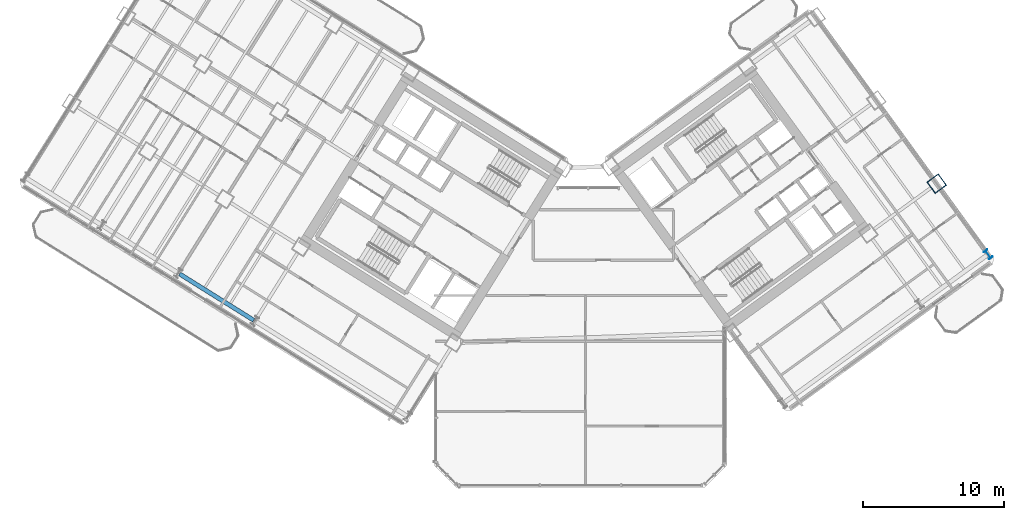
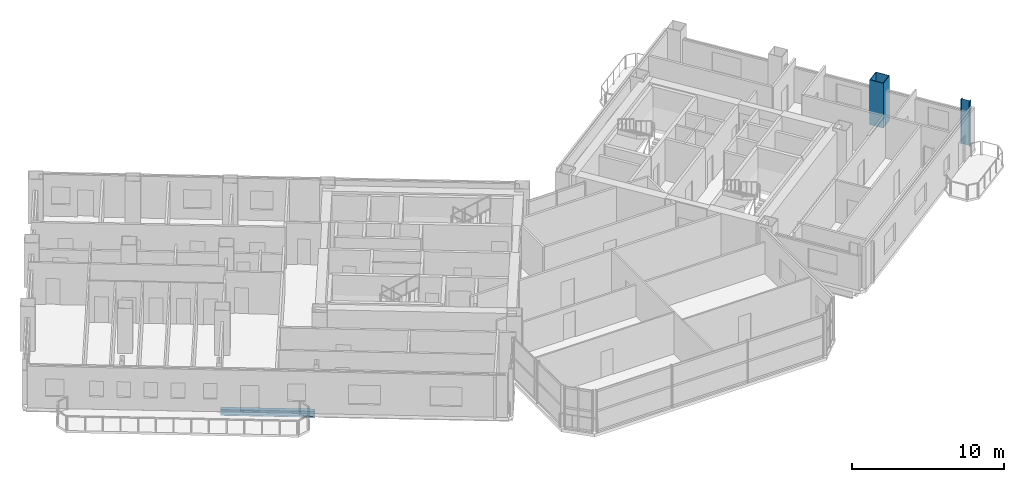
# One storey, part 4 of 28: 2 columns, 1 beam.
"""IFC4 building model written with IfcOpenShell, lengths in metres."""

from ifc_helpers import new_model, si_unit, direction, frame, origin, origin_2d, place, context, subcontext, project, spatial, hollow_rectangle, i_section, extrude, source, transform, mapped, material, material_profile, profile_set, type_object, element, save


model = new_model("IFC4")

# Units and contexts
model_context = context("Model", 3, precision=1e-05, world=origin(), true_north=direction((0.0, 1.0)))
body_context = subcontext(model_context, "Body", "Model", "MODEL_VIEW")
ifc_project = project(units=[si_unit("LENGTHUNIT", "METRE"), si_unit("AREAUNIT", "SQUARE_METRE"), si_unit("VOLUMEUNIT", "CUBIC_METRE"), si_unit("PLANEANGLEUNIT", "RADIAN"), si_unit("MASSUNIT", "GRAM", prefix="KILO")], contexts=[model_context])

# Site, building, storey
site_placement = place(None, origin())
site = spatial("IfcSite", under=ifc_project, at=site_placement, CompositionType="ELEMENT")
building_placement = place(site_placement, origin())
building = spatial("IfcBuilding", under=site, at=building_placement, Name="Tlacorven Tower", CompositionType="ELEMENT")
storey_placement = place(building_placement, frame((0.0, 0.0, 63.60009765625)))
storey = spatial("IfcBuildingStorey", under=building, at=storey_placement, Name="L16", CompositionType="ELEMENT", Elevation=63.60009765625)

# Columns
ifc_material_1 = material(Name="Steel S460M", Category="steel")
ifc_material_profile_1 = material_profile(ifc_material_1, hollow_rectangle(XDim=1.0, YDim=1.0, WallThickness=0.0400390625, at=origin_2d()), Name="BOX 1000X1000X40")
ifc_profile_set_1 = profile_set([ifc_material_profile_1], Name="Steel S460M")
column_type_1 = type_object("IfcColumnType", Name="COL-TWR-S1", PredefinedType="COLUMN", material=ifc_profile_set_1)
shared_shape_1 = source(origin(), body_context, "Body", "SweptSolid", [
    extrude(hollow_rectangle(XDim=1.0, YDim=1.0, WallThickness=0.0400390625, at=origin_2d()), origin(), (0.0, 0.0, 1.0), 3.599853515625),
])
column_1_placement = place(storey_placement, frame((67.267822265625, 23.353515625, 0.0), z_axis=(0.0, 0.0, 1.0), x_axis=(0.809016994375, 0.587785252292, 0.0)))
element("IfcColumn", 1, at=column_1_placement, inside=storey, type_object=column_type_1, Name="L16 column COL-L16-E4-2", PredefinedType="COLUMN", context=body_context, shape_type="MappedRepresentation", body=[
    mapped(shared_shape_1, transform((0.0, 0.0, 0.0), scale=1.0)),
])
ifc_material_profile_2 = material_profile(ifc_material_1, i_section(OverallWidth=0.300048828125, OverallDepth=0.64990234375, WebThickness=0.01611328125, FlangeThickness=0.031005859375, at=origin_2d()), Name="HEB 650")
ifc_profile_set_2 = profile_set([ifc_material_profile_2], Name="Steel S460M")
column_type_2 = type_object("IfcColumnType", Name="COL-TWR-P1", PredefinedType="COLUMN", material=ifc_profile_set_2)
shared_shape_2 = source(origin(), body_context, "Body", "SweptSolid", [
    extrude(i_section(OverallWidth=0.300048828125, OverallDepth=0.64990234375, WebThickness=0.01611328125, FlangeThickness=0.031005859375, at=origin_2d()), origin(), (0.0, 0.0, 1.0), 3.599853515625),
])
column_2_placement = place(storey_placement, frame((70.911865234375, 18.337646484375, 0.0), z_axis=(0.0, 0.0, 1.0), x_axis=(0.809016994375, 0.587785252292, 0.0)))
element("IfcColumn", 2, at=column_2_placement, inside=storey, type_object=column_type_2, Name="L16 column COL-L16-E4-1", PredefinedType="COLUMN", context=body_context, shape_type="MappedRepresentation", body=[
    mapped(shared_shape_2, transform((0.0, 0.0, 0.0), scale=1.0)),
])

# Beam
ifc_material_2 = material(Name="Steel S355J2", Category="steel")
ifc_material_profile_3 = material_profile(ifc_material_2, i_section(OverallWidth=0.300048828125, OverallDepth=0.489990234375, WebThickness=0.011962890625, FlangeThickness=0.02294921875, at=origin_2d()), Name="HEA 500")
ifc_profile_set_3 = profile_set([ifc_material_profile_3], Name="Steel S355J2")
beam_type = type_object("IfcBeamType", Name="BM-SPN-500", PredefinedType="SPANDREL", material=ifc_profile_set_3)
shared_shape_3 = source(origin(), body_context, "Body", "SweptSolid", [
    extrude(i_section(OverallWidth=0.300048828125, OverallDepth=0.489990234375, WebThickness=0.011962890625, FlangeThickness=0.02294921875, at=origin_2d()), origin(), (0.0, 0.0, 1.0), 6.199951171875),
])
beam_placement = place(storey_placement, frame((18.82080078125, 13.6650390625, -0.4951171875), z_axis=(-0.848051394107, 0.529913986372, 0.0), x_axis=(-0.529913986372, -0.848051394107, 0.0)))
element("IfcBeam", 3, at=beam_placement, inside=storey, type_object=beam_type, Name="L16 beam BM-L16-WL4-3", PredefinedType="SPANDREL", context=body_context, shape_type="MappedRepresentation", body=[
    mapped(shared_shape_3, transform((0.0, 0.0, 0.0), scale=1.0)),
])

save(model, "model.ifc")
